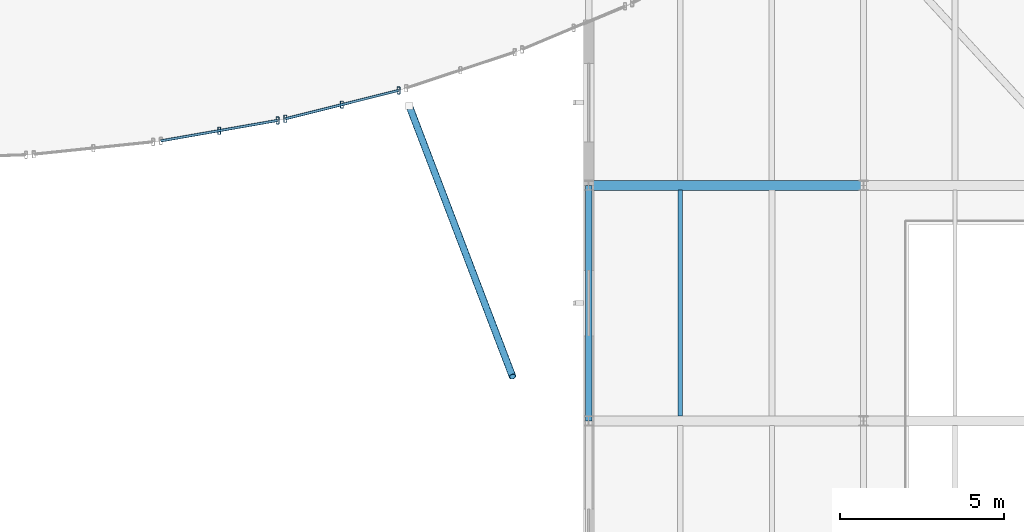
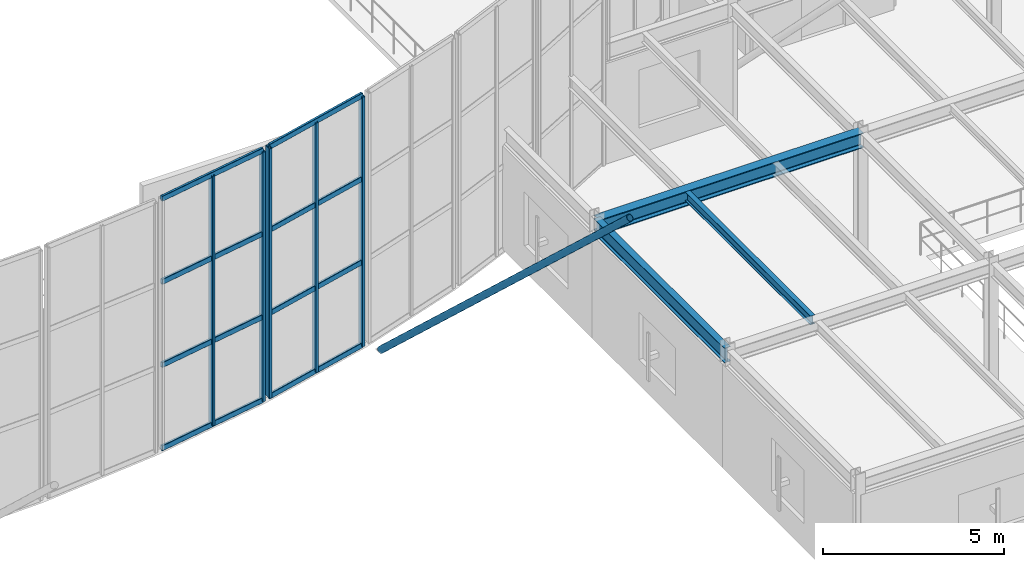
# One storey, part 27 of 109: 14 members, 3 beams, 2 elements without a shape of their own.
"""IFC4 building model written with IfcOpenShell, lengths in metres."""

from ifc_helpers import new_model, si_unit, derived_unit, direction, frame, origin, origin_2d, place, context, subcontext, project, spatial, hollow_rectangle, hollow_circle, i_section, extrude, material, material_profile, profile_set, type_object, element, aggregate, save


model = new_model("IFC4")

# Units and contexts
model_context = context("Model", 3, precision=1e-05, world=origin(), true_north=direction((0.0, 1.0)))
body_context = subcontext(model_context, "Body", "Model", "MODEL_VIEW")
ifc_project = project(units=[si_unit("LENGTHUNIT", "METRE"), si_unit("AREAUNIT", "SQUARE_METRE"), si_unit("VOLUMEUNIT", "CUBIC_METRE"), si_unit("PLANEANGLEUNIT", "RADIAN"), si_unit("MASSUNIT", "GRAM", prefix="KILO"), derived_unit("THERMALTRANSMITTANCEUNIT", [(si_unit("MASSUNIT", "GRAM", prefix="KILO"), 1), (si_unit("TIMEUNIT", "SECOND"), -3), (si_unit("THERMODYNAMICTEMPERATUREUNIT", "KELVIN"), -1)])], contexts=[model_context])

# Site, building, storey
site_placement = place(None, origin())
site = spatial("IfcSite", under=ifc_project, at=site_placement, CompositionType="ELEMENT")
building_placement = place(site_placement, origin())
building = spatial("IfcBuilding", under=site, at=building_placement, Name="Kharveza Railside Sports Centre", CompositionType="ELEMENT")
storey_placement = place(building_placement, frame((0.0, 0.0, 4.5)))
storey = spatial("IfcBuildingStorey", under=building, at=storey_placement, Name="L01", CompositionType="ELEMENT", Elevation=4.5)

# Beams
ifc_material_1 = material(Name="Steel S355J2", Category="steel")
ifc_material_profile_1 = material_profile(ifc_material_1, i_section(OverallWidth=0.199951171875, OverallDepth=0.5, WebThickness=0.01025390625, FlangeThickness=0.01611328125, FilletRadius=0.02099609375, at=origin_2d()), Name="IPE 500")
ifc_profile_set_1 = profile_set([ifc_material_profile_1], Name="Steel S355J2")
beam_type_1 = type_object("IfcBeamType", Name="BM-G03", PredefinedType="T_BEAM", material=ifc_profile_set_1)
beam_1_placement = place(storey_placement, frame((75.60009765625, 14.39990234375, 3.75), z_axis=(0.0, 1.0, 0.0), x_axis=(-1.0, 0.0, 0.0)))
element("IfcBeam", 1, at=beam_1_placement, inside=storey, type_object=beam_type_1, Name="BM-NS-L01-B03-X756-Y144", PredefinedType="T_BEAM", context=body_context, shape_type="SweptSolid", body=[
    extrude(i_section(OverallWidth=0.199951171875, OverallDepth=0.5, WebThickness=0.01025390625, FlangeThickness=0.01611328125, FilletRadius=0.02099609375, at=origin_2d()), origin(), (0.0, 0.0, 1.0), 7.2001953125),
])
ifc_material_profile_2 = material_profile(ifc_material_1, i_section(OverallWidth=0.300048828125, OverallDepth=0.5, WebThickness=0.014404296875, FlangeThickness=0.028076171875, FilletRadius=0.027099609375, at=origin_2d()), Name="HEB 500")
ifc_profile_set_2 = profile_set([ifc_material_profile_2], Name="Steel S355J2")
beam_type_2 = type_object("IfcBeamType", Name="BM-G05", PredefinedType="T_BEAM", material=ifc_profile_set_2)
beam_2_placement = place(storey_placement, frame((75.60009765625, 21.60009765625, 3.75), z_axis=(1.0, 0.0, 0.0), x_axis=(0.0, 1.0, 0.0)))
element("IfcBeam", 2, at=beam_2_placement, inside=storey, type_object=beam_type_2, Name="BM-EW-L01-B05-X756-Y216", PredefinedType="T_BEAM", context=body_context, shape_type="SweptSolid", body=[
    extrude(i_section(OverallWidth=0.300048828125, OverallDepth=0.5, WebThickness=0.014404296875, FlangeThickness=0.028076171875, FilletRadius=0.027099609375, at=origin_2d()), origin(), (0.0, 0.0, 1.0), 8.39990234375),
])
ifc_material_profile_3 = material_profile(ifc_material_1, i_section(OverallWidth=0.14990234375, OverallDepth=0.300048828125, WebThickness=0.007080078125, FlangeThickness=0.0107421875, FilletRadius=0.014892578125, at=origin_2d()), Name="IPE 300")
ifc_profile_set_3 = profile_set([ifc_material_profile_3], Name="Steel S355J2")
beam_type_3 = type_object("IfcBeamType", Name="BM-S04", PredefinedType="BEAM", material=ifc_profile_set_3)
beam_3_placement = place(storey_placement, frame((78.39990234375, 14.547119140625, 3.85009765625), z_axis=(0.0, 1.0, 0.0), x_axis=(-1.0, 0.0, 0.0)))
element("IfcBeam", 3, at=beam_3_placement, inside=storey, type_object=beam_type_3, Name="BM-SEC-L01-B12-X784-Y144", PredefinedType="BEAM", context=body_context, shape_type="SweptSolid", body=[
    extrude(i_section(OverallWidth=0.14990234375, OverallDepth=0.300048828125, WebThickness=0.007080078125, FlangeThickness=0.0107421875, FilletRadius=0.014892578125, at=origin_2d()), origin(), (0.0, 0.0, 1.0), 6.90576171875),
])

# Curtain wall, members
ifc_material_2 = material(Name="Low-E solar-control laminated glass", Category="glass")
curtain_wall_type = type_object("IfcCurtainWallType", Name="CW-DR01", PredefinedType="NOTDEFINED", material=ifc_material_2)
curtain_wall_1_placement = place(storey_placement, origin())
curtain_wall_1 = element("IfcCurtainWall", 4, at=curtain_wall_1_placement, inside=storey, type_object=curtain_wall_type, Name="CW-DRUM-51", PredefinedType="NOTDEFINED")
ifc_material_3 = material(Name="Anodised aluminium 6063-T6", Category="aluminium")
ifc_material_profile_4 = material_profile(ifc_material_3, hollow_rectangle(XDim=0.090087890625, YDim=0.219970703125, WallThickness=0.008056640625, InnerFilletRadius=0.008056640625, OuterFilletRadius=0.01611328125, at=origin_2d()), Name="RHS 90x220x8.0")
ifc_profile_set_4 = profile_set([ifc_material_profile_4], Name="Anodised aluminium 6063-T6")
member_type_1 = type_object("IfcMemberType", Name="CW-ML01", PredefinedType="MULLION", material=ifc_profile_set_4)
member_1_placement = place(storey_placement, frame((64.3076171875, 23.271728515625, 0.0), z_axis=(0.0, 0.0, 1.0), x_axis=(1.0, 0.0, 0.0)))
member_1 = element("IfcMember", 5, at=member_1_placement, type_object=member_type_1, Name="CW-DRUM-51-ML2", PredefinedType="MULLION", context=body_context, shape_type="SweptSolid", body=[
    extrude(hollow_rectangle(XDim=0.090087890625, YDim=0.219970703125, WallThickness=0.008056640625, InnerFilletRadius=0.008056640625, OuterFilletRadius=0.01611328125, at=origin_2d()), origin(), (0.0, 0.0, 1.0), 8.39990234375),
])
member_2_placement = place(storey_placement, frame((66.09326171875, 23.5849609375, 0.0), z_axis=(0.0, 0.0, 1.0), x_axis=(1.0, 0.0, 0.0)))
member_2 = element("IfcMember", 6, at=member_2_placement, type_object=member_type_1, Name="CW-DRUM-51-ML3", PredefinedType="MULLION", context=body_context, shape_type="SweptSolid", body=[
    extrude(hollow_rectangle(XDim=0.090087890625, YDim=0.219970703125, WallThickness=0.008056640625, InnerFilletRadius=0.008056640625, OuterFilletRadius=0.01611328125, at=origin_2d()), origin(), (0.0, 0.0, 1.0), 8.39990234375),
])

curtain_wall_2_placement = place(storey_placement, origin())
curtain_wall_2 = element("IfcCurtainWall", 7, at=curtain_wall_2_placement, inside=storey, type_object=curtain_wall_type, Name="CW-DRUM-52", PredefinedType="NOTDEFINED")
member_3_placement = place(storey_placement, frame((66.327880859375, 23.634765625, 0.0), z_axis=(0.0, 0.0, 1.0), x_axis=(1.0, 0.0, 0.0)))
member_3 = element("IfcMember", 8, at=member_3_placement, type_object=member_type_1, Name="CW-DRUM-52-ML1", PredefinedType="MULLION", context=body_context, shape_type="SweptSolid", body=[
    extrude(hollow_rectangle(XDim=0.090087890625, YDim=0.219970703125, WallThickness=0.008056640625, InnerFilletRadius=0.008056640625, OuterFilletRadius=0.01611328125, at=origin_2d()), origin(), (0.0, 0.0, 1.0), 8.39990234375),
])
member_4_placement = place(storey_placement, frame((68.059326171875, 24.068603515625, 0.0), z_axis=(0.0, 0.0, 1.0), x_axis=(1.0, 0.0, 0.0)))
member_4 = element("IfcMember", 9, at=member_4_placement, type_object=member_type_1, Name="CW-DRUM-52-ML2", PredefinedType="MULLION", context=body_context, shape_type="SweptSolid", body=[
    extrude(hollow_rectangle(XDim=0.090087890625, YDim=0.219970703125, WallThickness=0.008056640625, InnerFilletRadius=0.008056640625, OuterFilletRadius=0.01611328125, at=origin_2d()), origin(), (0.0, 0.0, 1.0), 8.39990234375),
])
member_5_placement = place(storey_placement, frame((69.791015625, 24.502197265625, 0.0), z_axis=(0.0, 0.0, 1.0), x_axis=(1.0, 0.0, 0.0)))
member_5 = element("IfcMember", 10, at=member_5_placement, type_object=member_type_1, Name="CW-DRUM-52-ML3", PredefinedType="MULLION", context=body_context, shape_type="SweptSolid", body=[
    extrude(hollow_rectangle(XDim=0.090087890625, YDim=0.219970703125, WallThickness=0.008056640625, InnerFilletRadius=0.008056640625, OuterFilletRadius=0.01611328125, at=origin_2d()), origin(), (0.0, 0.0, 1.0), 8.39990234375),
])

# Member
ifc_material_profile_5 = material_profile(ifc_material_3, hollow_rectangle(XDim=0.080078125, YDim=0.179931640625, WallThickness=0.00634765625, InnerFilletRadius=0.00634765625, OuterFilletRadius=0.0126953125, at=origin_2d()), Name="RHS 80x180x6.3")
ifc_profile_set_5 = profile_set([ifc_material_profile_5], Name="Anodised aluminium 6063-T6")
member_type_2 = type_object("IfcMemberType", Name="CW-TR01", PredefinedType="USERDEFINED", material=ifc_profile_set_5)
member_6_placement = place(storey_placement, frame((62.521728515625, 22.958740234375, 0.0), z_axis=(0.984974108724, 0.172702070468, 0.0), x_axis=(-0.172702070468, 0.984974108724, 0.0)))
member_6 = element("IfcMember", 11, at=member_6_placement, type_object=member_type_2, Name="CW-DRUM-51-TR1", ObjectType="TRANSOM", PredefinedType="USERDEFINED", context=body_context, shape_type="SweptSolid", body=[
    extrude(hollow_rectangle(XDim=0.080078125, YDim=0.179931640625, WallThickness=0.00634765625, InnerFilletRadius=0.00634765625, OuterFilletRadius=0.0126953125, at=origin_2d()), origin(), (0.0, 0.0, 1.0), 3.6259765625),
])

member_7_placement = place(storey_placement, frame((62.521728515625, 22.958740234375, 2.800048828125), z_axis=(0.984974108724, 0.172702070468, 0.0), x_axis=(-0.172702070468, 0.984974108724, 0.0)))
member_7 = element("IfcMember", 12, at=member_7_placement, type_object=member_type_2, Name="CW-DRUM-51-TR2", ObjectType="TRANSOM", PredefinedType="USERDEFINED", context=body_context, shape_type="SweptSolid", body=[
    extrude(hollow_rectangle(XDim=0.080078125, YDim=0.179931640625, WallThickness=0.00634765625, InnerFilletRadius=0.00634765625, OuterFilletRadius=0.0126953125, at=origin_2d()), origin(), (0.0, 0.0, 1.0), 3.6259765625),
])

member_8_placement = place(storey_placement, frame((62.521728515625, 22.958740234375, 5.60009765625), z_axis=(0.984974108724, 0.172702070468, 0.0), x_axis=(-0.172702070468, 0.984974108724, 0.0)))
member_8 = element("IfcMember", 13, at=member_8_placement, type_object=member_type_2, Name="CW-DRUM-51-TR3", ObjectType="TRANSOM", PredefinedType="USERDEFINED", context=body_context, shape_type="SweptSolid", body=[
    extrude(hollow_rectangle(XDim=0.080078125, YDim=0.179931640625, WallThickness=0.00634765625, InnerFilletRadius=0.00634765625, OuterFilletRadius=0.0126953125, at=origin_2d()), origin(), (0.0, 0.0, 1.0), 3.6259765625),
])

member_9_placement = place(storey_placement, frame((62.521728515625, 22.958740234375, 8.39990234375), z_axis=(0.984974108724, 0.172702070468, 0.0), x_axis=(-0.172702070468, 0.984974108724, 0.0)))
member_9 = element("IfcMember", 14, at=member_9_placement, type_object=member_type_2, Name="CW-DRUM-51-TR4", ObjectType="TRANSOM", PredefinedType="USERDEFINED", context=body_context, shape_type="SweptSolid", body=[
    extrude(hollow_rectangle(XDim=0.080078125, YDim=0.179931640625, WallThickness=0.00634765625, InnerFilletRadius=0.00634765625, OuterFilletRadius=0.0126953125, at=origin_2d()), origin(), (0.0, 0.0, 1.0), 3.6259765625),
])

aggregate(curtain_wall_1, [member_1, member_2, member_6, member_7, member_8, member_9])

member_10_placement = place(storey_placement, frame((66.327880859375, 23.634765625, 0.0), z_axis=(0.970033792232, 0.242970043271, 0.0), x_axis=(-0.242970043271, 0.970033792232, 0.0)))
member_10 = element("IfcMember", 15, at=member_10_placement, type_object=member_type_2, Name="CW-DRUM-52-TR1", ObjectType="TRANSOM", PredefinedType="USERDEFINED", context=body_context, shape_type="SweptSolid", body=[
    extrude(hollow_rectangle(XDim=0.080078125, YDim=0.179931640625, WallThickness=0.00634765625, InnerFilletRadius=0.00634765625, OuterFilletRadius=0.0126953125, at=origin_2d()), origin(), (0.0, 0.0, 1.0), 3.570068359375),
])

member_11_placement = place(storey_placement, frame((66.327880859375, 23.634765625, 2.800048828125), z_axis=(0.970033792232, 0.242970043271, 0.0), x_axis=(-0.242970043271, 0.970033792232, 0.0)))
member_11 = element("IfcMember", 16, at=member_11_placement, type_object=member_type_2, Name="CW-DRUM-52-TR2", ObjectType="TRANSOM", PredefinedType="USERDEFINED", context=body_context, shape_type="SweptSolid", body=[
    extrude(hollow_rectangle(XDim=0.080078125, YDim=0.179931640625, WallThickness=0.00634765625, InnerFilletRadius=0.00634765625, OuterFilletRadius=0.0126953125, at=origin_2d()), origin(), (0.0, 0.0, 1.0), 3.570068359375),
])

member_12_placement = place(storey_placement, frame((66.327880859375, 23.634765625, 5.60009765625), z_axis=(0.970033792232, 0.242970043271, 0.0), x_axis=(-0.242970043271, 0.970033792232, 0.0)))
member_12 = element("IfcMember", 17, at=member_12_placement, type_object=member_type_2, Name="CW-DRUM-52-TR3", ObjectType="TRANSOM", PredefinedType="USERDEFINED", context=body_context, shape_type="SweptSolid", body=[
    extrude(hollow_rectangle(XDim=0.080078125, YDim=0.179931640625, WallThickness=0.00634765625, InnerFilletRadius=0.00634765625, OuterFilletRadius=0.0126953125, at=origin_2d()), origin(), (0.0, 0.0, 1.0), 3.570068359375),
])

member_13_placement = place(storey_placement, frame((66.327880859375, 23.634765625, 8.39990234375), z_axis=(0.970033792232, 0.242970043271, 0.0), x_axis=(-0.242970043271, 0.970033792232, 0.0)))
member_13 = element("IfcMember", 18, at=member_13_placement, type_object=member_type_2, Name="CW-DRUM-52-TR4", ObjectType="TRANSOM", PredefinedType="USERDEFINED", context=body_context, shape_type="SweptSolid", body=[
    extrude(hollow_rectangle(XDim=0.080078125, YDim=0.179931640625, WallThickness=0.00634765625, InnerFilletRadius=0.00634765625, OuterFilletRadius=0.0126953125, at=origin_2d()), origin(), (0.0, 0.0, 1.0), 3.570068359375),
])

aggregate(curtain_wall_2, [member_3, member_4, member_5, member_10, member_11, member_12, member_13])

ifc_material_profile_6 = material_profile(ifc_material_1, hollow_circle(Radius=0.109619140625, WallThickness=0.012451171875, at=origin_2d()), Name="CHS 219.1x12.5")
ifc_profile_set_6 = profile_set([ifc_material_profile_6], Name="Steel S355J2")
member_type_3 = type_object("IfcMemberType", Name="MB-ST01", PredefinedType="STRUT", material=ifc_profile_set_6)
member_14_placement = place(storey_placement, frame((70.117919921875, 24.023193359375, 0.0), z_axis=(0.259446526384, -0.679544845882, 0.686226130646), x_axis=(0.93422573946, 0.356682306444, 0.0)))
element("IfcMember", 19, at=member_14_placement, inside=storey, type_object=member_type_3, Name="MB-RAKER-LID-14", PredefinedType="STRUT", context=body_context, shape_type="SweptSolid", body=[
    extrude(hollow_circle(Radius=0.109619140625, WallThickness=0.012451171875, at=origin_2d()), origin(), (0.0, 0.0, 1.0), 12.168212890625),
])

save(model, "model.ifc")
